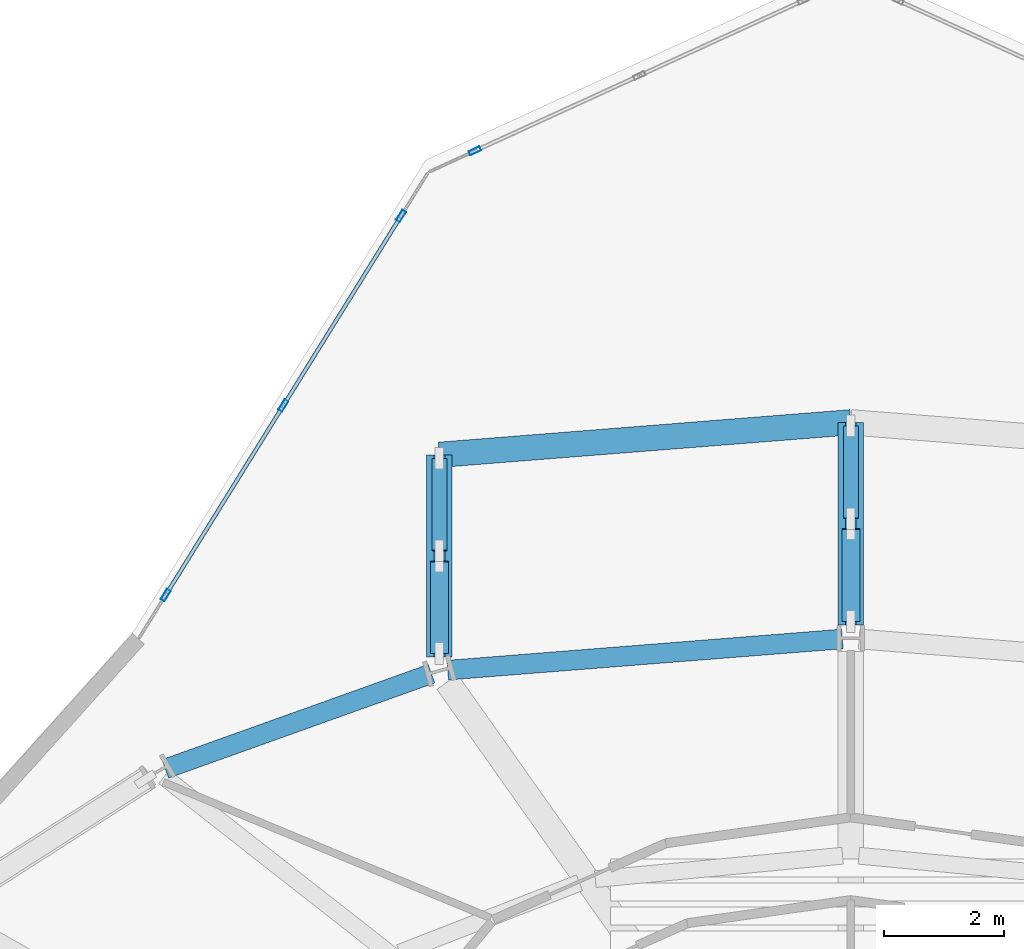
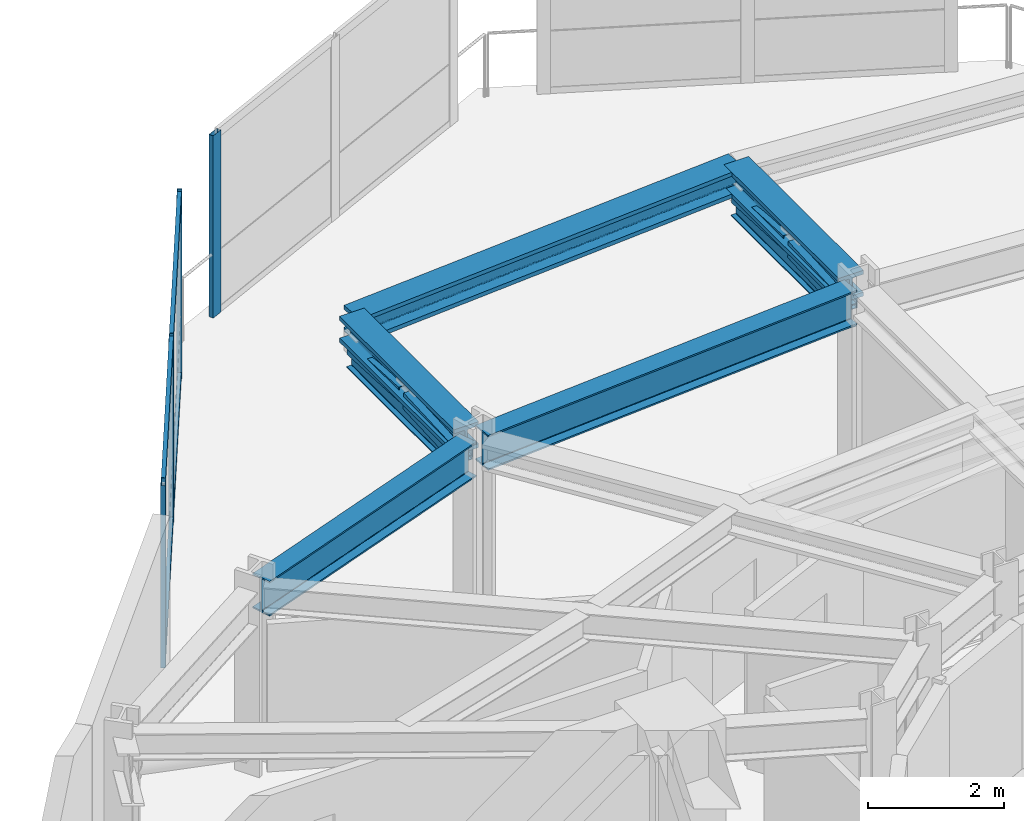
# One storey, part 13 of 24: 12 members, 7 beams, 2 elements without a shape of their own.
"""IFC4 building model written with IfcOpenShell, lengths in metres."""

from ifc_helpers import new_model, si_unit, direction, frame, origin, origin_2d, place, context, subcontext, project, spatial, hollow_rectangle, i_section, extrude, material, layer, layer_set, material_profile, profile_set, type_object, element, aggregate, save


model = new_model("IFC4")

# Units and contexts
model_context = context("Model", 3, precision=1e-05, world=origin(), true_north=direction((0.0, 1.0)))
body_context = subcontext(model_context, "Body", "Model", "MODEL_VIEW")
ifc_project = project(units=[si_unit("LENGTHUNIT", "METRE"), si_unit("AREAUNIT", "SQUARE_METRE"), si_unit("VOLUMEUNIT", "CUBIC_METRE"), si_unit("PLANEANGLEUNIT", "RADIAN"), si_unit("MASSUNIT", "GRAM", prefix="KILO")], contexts=[model_context])

# Site, building, storey
site_placement = place(None, origin())
site = spatial("IfcSite", under=ifc_project, at=site_placement, CompositionType="ELEMENT")
building_placement = place(site_placement, origin())
building = spatial("IfcBuilding", under=site, at=building_placement, Name="Solvane Sanctuary Tower", CompositionType="ELEMENT")
storey_placement = place(building_placement, frame((0.0, 0.0, 253.199951171875)))
storey = spatial("IfcBuildingStorey", under=building, at=storey_placement, Name="L77", CompositionType="ELEMENT", Elevation=253.199951171875)

# Beams
ifc_material_1 = material(Name="Steel ASTM A913 Grade 65", Category="steel")
ifc_material_profile_1 = material_profile(ifc_material_1, i_section(OverallWidth=0.422119140625, OverallDepth=0.465087890625, WebThickness=0.044921875, FlangeThickness=0.072509765625, FilletRadius=0.02490234375, at=origin_2d()), Name="W14X398")
ifc_profile_set_1 = profile_set([ifc_material_profile_1], Name="Steel ASTM A913 Grade 65")
beam_type_1 = type_object("IfcBeamType", Name="Beam B-CANT-CH W14X398", PredefinedType="BEAM", material=ifc_profile_set_1)
beam_1_placement = place(storey_placement, frame((25.143798828125, 38.36669921875, 3.08544921875), z_axis=(0.0, 1.0, 0.0), x_axis=(-1.0, 0.0, 0.0)))
element("IfcBeam", 1, at=beam_1_placement, inside=storey, type_object=beam_type_1, Name="L77 Sky-Dining Truss Top Chord C05", PredefinedType="BEAM", context=body_context, shape_type="SweptSolid", body=[
    extrude(i_section(OverallWidth=0.422119140625, OverallDepth=0.465087890625, WebThickness=0.044921875, FlangeThickness=0.072509765625, FilletRadius=0.02490234375, at=origin_2d()), origin(), (0.0, 0.0, 1.0), 3.37158203125),
])
beam_2_placement = place(storey_placement, frame((32.0, 38.90087890625, 3.08544921875), z_axis=(0.0, 1.0, 0.0), x_axis=(-1.0, 0.0, 0.0)))
element("IfcBeam", 2, at=beam_2_placement, inside=storey, type_object=beam_type_1, Name="L77 Sky-Dining Truss Top Chord C04", PredefinedType="BEAM", context=body_context, shape_type="SweptSolid", body=[
    extrude(i_section(OverallWidth=0.422119140625, OverallDepth=0.465087890625, WebThickness=0.044921875, FlangeThickness=0.072509765625, FilletRadius=0.02490234375, at=origin_2d()), origin(), (0.0, 0.0, 1.0), 3.379150390625),
])
beam_3_placement = place(storey_placement, frame((25.143798828125, 41.73828125, 3.08544921875), z_axis=(0.996892795984, 0.078770256536, 0.0), x_axis=(-0.078770256536, 0.996892795984, 0.0)))
element("IfcBeam", 3, at=beam_3_placement, inside=storey, type_object=beam_type_1, Name="L77 Sky-Dining Transverse Tie Beam 1", PredefinedType="BEAM", context=body_context, shape_type="SweptSolid", body=[
    extrude(i_section(OverallWidth=0.422119140625, OverallDepth=0.465087890625, WebThickness=0.044921875, FlangeThickness=0.072509765625, FilletRadius=0.02490234375, at=origin_2d()), origin(), (0.0, 0.0, 1.0), 6.877685546875),
])
ifc_material_2 = material(Name="Steel ASTM A992 Grade 50", Category="steel")
ifc_material_profile_2 = material_profile(ifc_material_2, i_section(OverallWidth=0.180908203125, OverallDepth=0.4169921875, WebThickness=0.010986328125, FlangeThickness=0.018310546875, FilletRadius=0.012939453125, at=origin_2d()), Name="W16X57")
ifc_profile_set_2 = profile_set([ifc_material_profile_2], Name="Steel ASTM A992 Grade 50")
beam_type_2 = type_object("IfcBeamType", Name="Beam B-ROOF-BM W16X57", PredefinedType="BEAM", material=ifc_profile_set_2)
beam_4_placement = place(storey_placement, frame((25.143798828125, 38.36669921875, 2.56005859375), z_axis=(0.0, 1.0, 0.0), x_axis=(-1.0, 0.0, 0.0)))
element("IfcBeam", 4, at=beam_4_placement, inside=storey, type_object=beam_type_2, Name="L77 Sky-Dining Truss Bottom Chord C05", PredefinedType="BEAM", context=body_context, shape_type="SweptSolid", body=[
    extrude(i_section(OverallWidth=0.180908203125, OverallDepth=0.4169921875, WebThickness=0.010986328125, FlangeThickness=0.018310546875, FilletRadius=0.012939453125, at=origin_2d()), origin(), (0.0, 0.0, 1.0), 3.37158203125),
])
beam_5_placement = place(storey_placement, frame((32.0, 38.90087890625, 2.56005859375), z_axis=(0.0, 1.0, 0.0), x_axis=(-1.0, 0.0, 0.0)))
element("IfcBeam", 5, at=beam_5_placement, inside=storey, type_object=beam_type_2, Name="L77 Sky-Dining Truss Bottom Chord C04", PredefinedType="BEAM", context=body_context, shape_type="SweptSolid", body=[
    extrude(i_section(OverallWidth=0.180908203125, OverallDepth=0.4169921875, WebThickness=0.010986328125, FlangeThickness=0.018310546875, FilletRadius=0.012939453125, at=origin_2d()), origin(), (0.0, 0.0, 1.0), 3.379150390625),
])
ifc_material_profile_3 = material_profile(ifc_material_2, i_section(OverallWidth=0.327880859375, OverallDepth=0.6279296875, WebThickness=0.0166015625, FlangeThickness=0.027587890625, FilletRadius=0.01611328125, at=origin_2d()), Name="W24X146")
ifc_profile_set_3 = profile_set([ifc_material_profile_3], Name="Steel ASTM A992 Grade 50")
beam_type_3 = type_object("IfcBeamType", Name="Beam B-SPAND-Z3 W24X146", PredefinedType="SPANDREL", material=ifc_profile_set_3)
beam_6_placement = place(storey_placement, frame((20.57666015625, 36.50439453125, 3.004150390625), z_axis=(0.941570600413, 0.336815683184, 0.0), x_axis=(-0.336815683184, 0.941570600413, 0.0)))
element("IfcBeam", 6, at=beam_6_placement, inside=storey, type_object=beam_type_3, Name="L77 Perimeter Spandrel Beam TC06-TC05", PredefinedType="SPANDREL", context=body_context, shape_type="SweptSolid", body=[
    extrude(i_section(OverallWidth=0.327880859375, OverallDepth=0.6279296875, WebThickness=0.0166015625, FlangeThickness=0.027587890625, FilletRadius=0.01611328125, at=origin_2d()), origin(), (0.0, 0.0, 1.0), 4.710693359375),
])
beam_7_placement = place(storey_placement, frame((25.283447265625, 38.1494140625, 3.004150390625), z_axis=(0.996894556567, 0.078747971951, 0.0), x_axis=(-0.078747971951, 0.996894556567, 0.0)))
element("IfcBeam", 7, at=beam_7_placement, inside=storey, type_object=beam_type_3, Name="L77 Perimeter Spandrel Beam TC05-TC04", PredefinedType="SPANDREL", context=body_context, shape_type="SweptSolid", body=[
    extrude(i_section(OverallWidth=0.327880859375, OverallDepth=0.6279296875, WebThickness=0.0166015625, FlangeThickness=0.027587890625, FilletRadius=0.01611328125, at=origin_2d()), origin(), (0.0, 0.0, 1.0), 6.597412109375),
])

# Members
ifc_material_profile_4 = material_profile(ifc_material_1, hollow_rectangle(XDim=0.300048828125, YDim=0.300048828125, WallThickness=0.012451171875, at=origin_2d()), Name="HSS300X300X12.5")
ifc_profile_set_4 = profile_set([ifc_material_profile_4], Name="Steel ASTM A913 Grade 65")
member_type_1 = type_object("IfcMemberType", Name="Member M-CANT-DIAG HSS300X300X12.5", PredefinedType="STRUT", material=ifc_profile_set_4)
member_1_placement = place(storey_placement, frame((25.143798828125, 38.431640625, 2.768798828125), z_axis=(0.0, 0.998634932523, 0.052232858853), x_axis=(-1.0, 0.0, 0.0)))
element("IfcMember", 8, at=member_1_placement, inside=storey, type_object=member_type_1, Name="L77 Sky-Dining Truss Diagonal C05-P1", PredefinedType="STRUT", context=body_context, shape_type="SweptSolid", body=[
    extrude(hollow_rectangle(XDim=0.300048828125, YDim=0.300048828125, WallThickness=0.012451171875, at=origin_2d()), origin(), (0.0, 0.0, 1.0), 1.533203125),
])
member_2_placement = place(storey_placement, frame((32.0, 38.966064453125, 2.768798828125), z_axis=(0.0, 0.998640994819, 0.052116825187), x_axis=(-1.0, 0.0, 0.0)))
element("IfcMember", 9, at=member_2_placement, inside=storey, type_object=member_type_1, Name="L77 Sky-Dining Truss Diagonal C04-P1", PredefinedType="STRUT", context=body_context, shape_type="SweptSolid", body=[
    extrude(hollow_rectangle(XDim=0.300048828125, YDim=0.300048828125, WallThickness=0.012451171875, at=origin_2d()), origin(), (0.0, 0.0, 1.0), 1.53662109375),
])
ifc_material_profile_5 = material_profile(ifc_material_1, hollow_rectangle(XDim=0.25, YDim=0.25, WallThickness=0.012451171875, at=origin_2d()), Name="HSS250X250X12.5")
ifc_profile_set_5 = profile_set([ifc_material_profile_5], Name="Steel ASTM A913 Grade 65")
member_type_2 = type_object("IfcMemberType", Name="Member M-CANT-POST HSS250X250X12.5", PredefinedType="POST", material=ifc_profile_set_5)
member_3_placement = place(storey_placement, frame((25.143798828125, 40.142333984375, 2.848876953125), z_axis=(0.0, 0.998634932523, -0.052232858853), x_axis=(-1.0, 0.0, 0.0)))
element("IfcMember", 10, at=member_3_placement, inside=storey, type_object=member_type_2, Name="L77 Sky-Dining Truss Web Post C05-P1", PredefinedType="POST", context=body_context, shape_type="SweptSolid", body=[
    extrude(hollow_rectangle(XDim=0.25, YDim=0.25, WallThickness=0.012451171875, at=origin_2d()), origin(), (0.0, 0.0, 1.0), 1.533203125),
])
member_4_placement = place(storey_placement, frame((32.0, 40.680419921875, 2.848876953125), z_axis=(0.0, 0.998641426295, -0.052108556765), x_axis=(-1.0, 0.0, 0.0)))
element("IfcMember", 11, at=member_4_placement, inside=storey, type_object=member_type_2, Name="L77 Sky-Dining Truss Web Post C04-P1", PredefinedType="POST", context=body_context, shape_type="SweptSolid", body=[
    extrude(hollow_rectangle(XDim=0.25, YDim=0.25, WallThickness=0.012451171875, at=origin_2d()), origin(), (0.0, 0.0, 1.0), 1.536865234375),
])

# Curtain wall, member
ifc_material_3 = material(Name="Anodised Aluminium 6063-T6", Category="aluminium")
ifc_layer = layer(ifc_material_3, 0.18994140625, Name="Anodised Aluminium 6063-T6")
ifc_layer_set = layer_set([ifc_layer], Name="Anodised Aluminium 6063-T6")
curtain_wall_type = type_object("IfcCurtainWallType", Name="Curtain Wall CW-OPER", PredefinedType="NOTDEFINED", material=ifc_layer_set)
curtain_wall_1_placement = place(storey_placement, origin())
curtain_wall_1 = element("IfcCurtainWall", 12, at=curtain_wall_1_placement, inside=storey, type_object=curtain_wall_type, Name="L77 CW-OPER Facade Run 06", PredefinedType="NOTDEFINED")
ifc_material_profile_6 = material_profile(ifc_material_3, hollow_rectangle(XDim=0.074951171875, YDim=0.199951171875, WallThickness=0.00390625, at=origin_2d()), Name="ALU200X75X4")
ifc_profile_set_6 = profile_set([ifc_material_profile_6], Name="Anodised Aluminium 6063-T6")
member_type_3 = type_object("IfcMemberType", Name="Member M-CW-MUL-1 ALU200X75X4", PredefinedType="MULLION", material=ifc_profile_set_6)
member_5_placement = place(storey_placement, frame((25.73681640625, 46.80322265625, 0.0), z_axis=(0.0, 0.0, 1.0), x_axis=(0.416224941032, -0.909261677661, 0.0)))
member_5 = element("IfcMember", 13, at=member_5_placement, type_object=member_type_3, Name="CW-OPER mullion 3", PredefinedType="MULLION", context=body_context, shape_type="SweptSolid", body=[
    extrude(hollow_rectangle(XDim=0.074951171875, YDim=0.199951171875, WallThickness=0.00390625, at=origin_2d()), origin(), (0.0, 0.0, 1.0), 3.280029296875),
])
aggregate(curtain_wall_1, [member_5])

# Curtain wall, members
curtain_wall_2_placement = place(storey_placement, origin())
curtain_wall_2 = element("IfcCurtainWall", 14, at=curtain_wall_2_placement, inside=storey, type_object=curtain_wall_type, Name="L77 CW-OPER Facade Run 07", PredefinedType="NOTDEFINED")
member_6_placement = place(storey_placement, frame((24.504638671875, 45.7177734375, 0.0), z_axis=(0.0, 0.0, 1.0), x_axis=(0.849622273102, -0.527391688453, 0.0)))
member_6 = element("IfcMember", 15, at=member_6_placement, type_object=member_type_3, Name="CW-OPER mullion 1", PredefinedType="MULLION", context=body_context, shape_type="SweptSolid", body=[
    extrude(hollow_rectangle(XDim=0.074951171875, YDim=0.199951171875, WallThickness=0.00390625, at=origin_2d()), origin(), (0.0, 0.0, 1.0), 3.280029296875),
])
member_7_placement = place(storey_placement, frame((22.54345703125, 42.558349609375, 0.0), z_axis=(0.0, 0.0, 1.0), x_axis=(0.849622273102, -0.527391688453, 0.0)))
member_7 = element("IfcMember", 16, at=member_7_placement, type_object=member_type_3, Name="CW-OPER mullion 2", PredefinedType="MULLION", context=body_context, shape_type="SweptSolid", body=[
    extrude(hollow_rectangle(XDim=0.074951171875, YDim=0.199951171875, WallThickness=0.00390625, at=origin_2d()), origin(), (0.0, 0.0, 1.0), 3.280029296875),
])
member_8_placement = place(storey_placement, frame((20.582275390625, 39.398681640625, 0.0), z_axis=(0.0, 0.0, 1.0), x_axis=(0.849622273102, -0.527391688453, 0.0)))
member_8 = element("IfcMember", 17, at=member_8_placement, type_object=member_type_3, Name="CW-OPER mullion 3", PredefinedType="MULLION", context=body_context, shape_type="SweptSolid", body=[
    extrude(hollow_rectangle(XDim=0.074951171875, YDim=0.199951171875, WallThickness=0.00390625, at=origin_2d()), origin(), (0.0, 0.0, 1.0), 3.280029296875),
])
ifc_material_profile_7 = material_profile(ifc_material_3, hollow_rectangle(XDim=0.06494140625, YDim=0.159912109375, WallThickness=0.00341796875, at=origin_2d()), Name="ALU160X65X3.5")
ifc_profile_set_7 = profile_set([ifc_material_profile_7], Name="Anodised Aluminium 6063-T6")
member_type_4 = type_object("IfcMemberType", Name="Member M-CW-TRN-1 ALU160X65X3.5", PredefinedType="USERDEFINED", material=ifc_profile_set_7)
member_9_placement = place(storey_placement, frame((24.48486328125, 45.68603515625, 0.032470703125), z_axis=(-0.527364529612, -0.849639130989, 0.0), x_axis=(0.849639130989, -0.527364529612, 0.0)))
member_9 = element("IfcMember", 18, at=member_9_placement, type_object=member_type_4, Name="CW-OPER transom 1.1", ObjectType="TRANSOM", PredefinedType="USERDEFINED", context=body_context, shape_type="SweptSolid", body=[
    extrude(hollow_rectangle(XDim=0.06494140625, YDim=0.159912109375, WallThickness=0.00341796875, at=origin_2d()), origin(), (0.0, 0.0, 1.0), 3.643798828125),
])
member_10_placement = place(storey_placement, frame((24.48486328125, 45.68603515625, 3.24755859375), z_axis=(-0.527364529612, -0.849639130989, 0.0), x_axis=(0.849639130989, -0.527364529612, 0.0)))
member_10 = element("IfcMember", 19, at=member_10_placement, type_object=member_type_4, Name="CW-OPER transom 1.2", ObjectType="TRANSOM", PredefinedType="USERDEFINED", context=body_context, shape_type="SweptSolid", body=[
    extrude(hollow_rectangle(XDim=0.06494140625, YDim=0.159912109375, WallThickness=0.00341796875, at=origin_2d()), origin(), (0.0, 0.0, 1.0), 3.643798828125),
])
member_11_placement = place(storey_placement, frame((22.523681640625, 42.5263671875, 0.032470703125), z_axis=(-0.527364529612, -0.849639130989, 0.0), x_axis=(0.849639130989, -0.527364529612, 0.0)))
member_11 = element("IfcMember", 20, at=member_11_placement, type_object=member_type_4, Name="CW-OPER transom 2.1", ObjectType="TRANSOM", PredefinedType="USERDEFINED", context=body_context, shape_type="SweptSolid", body=[
    extrude(hollow_rectangle(XDim=0.06494140625, YDim=0.159912109375, WallThickness=0.00341796875, at=origin_2d()), origin(), (0.0, 0.0, 1.0), 3.643798828125),
])
member_12_placement = place(storey_placement, frame((22.523681640625, 42.5263671875, 3.24755859375), z_axis=(-0.527364529612, -0.849639130989, 0.0), x_axis=(0.849639130989, -0.527364529612, 0.0)))
member_12 = element("IfcMember", 21, at=member_12_placement, type_object=member_type_4, Name="CW-OPER transom 2.2", ObjectType="TRANSOM", PredefinedType="USERDEFINED", context=body_context, shape_type="SweptSolid", body=[
    extrude(hollow_rectangle(XDim=0.06494140625, YDim=0.159912109375, WallThickness=0.00341796875, at=origin_2d()), origin(), (0.0, 0.0, 1.0), 3.643798828125),
])
aggregate(curtain_wall_2, [member_6, member_7, member_8, member_9, member_10, member_11, member_12])

save(model, "model.ifc")
